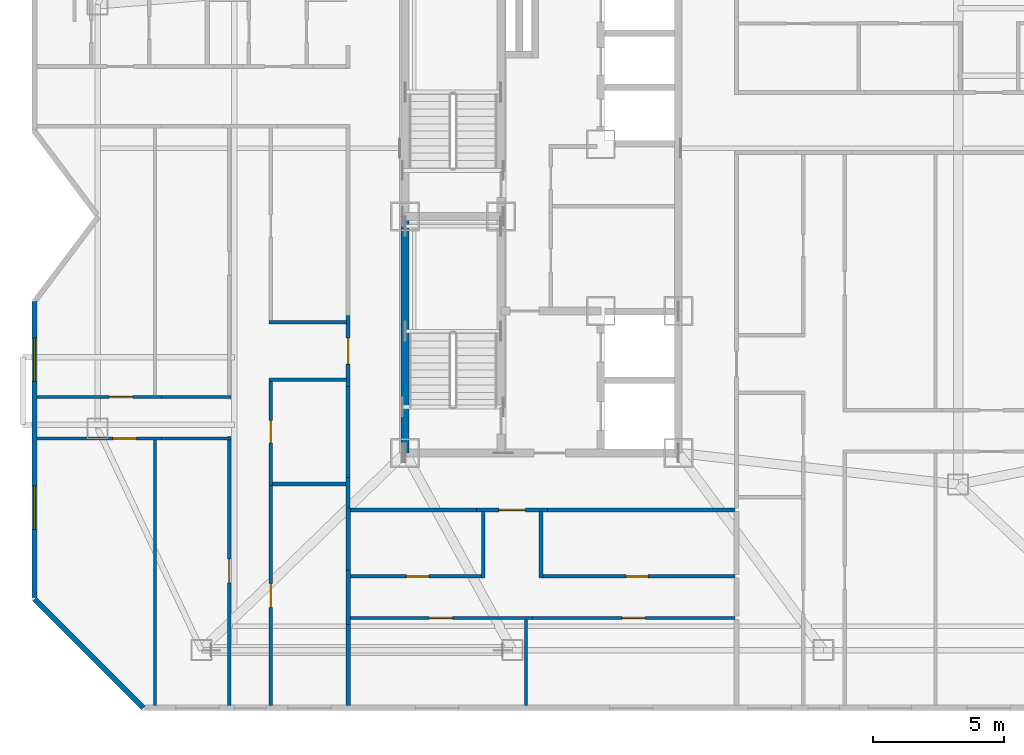
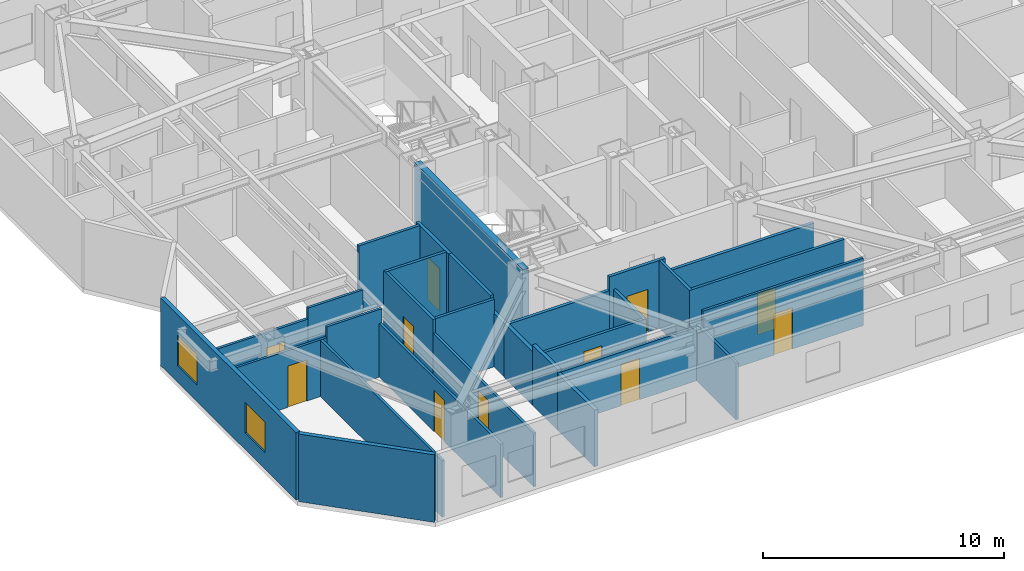
# One storey, part 5 of 12: 30 walls, 11 doors, 2 windows, 13 openings.
"""IFC4 building model written with IfcOpenShell, lengths in metres."""

from ifc_helpers import new_model, si_unit, direction, frame, frame_2d, origin, place, context, subcontext, project, spatial, rectangle, extrude, material, layer, layer_set, type_object, element, fill, save


model = new_model("IFC4")

# Units and contexts
model_context = context("Model", 3, precision=1e-05, world=origin(), true_north=direction((0.0, 1.0)))
body_context = subcontext(model_context, "Body", "Model", "MODEL_VIEW")
ifc_project = project(units=[si_unit("LENGTHUNIT", "METRE"), si_unit("AREAUNIT", "SQUARE_METRE"), si_unit("VOLUMEUNIT", "CUBIC_METRE"), si_unit("PLANEANGLEUNIT", "RADIAN"), si_unit("MASSUNIT", "GRAM", prefix="KILO")], contexts=[model_context])

# Site, building, storey
site_placement = place(None, origin())
site = spatial("IfcSite", under=ifc_project, at=site_placement, CompositionType="ELEMENT")
building_placement = place(site_placement, origin())
building = spatial("IfcBuilding", under=site, at=building_placement, Name="Khamvora Tower", CompositionType="ELEMENT")
storey_placement = place(building_placement, frame((0.0, 0.0, 199.699951171875)))
storey = spatial("IfcBuildingStorey", under=building, at=storey_placement, Name="L51", CompositionType="ELEMENT", Elevation=199.699951171875)

# Walls
ifc_material_1 = material(Name="Concrete C50/60", Category="concrete")
ifc_layer_1 = layer(ifc_material_1, 0.300048828125)
ifc_layer_set_1 = layer_set([ifc_layer_1], Name="Concrete C50/60")
wall_type_1 = type_object("IfcWallType", Name="WAL-CORE-300", PredefinedType="SHEAR", material=ifc_layer_set_1)
wall_1_placement = place(storey_placement, frame((29.0, 19.0, 0.0), z_axis=(0.0, 0.0, 1.0), x_axis=(0.0, 1.0, 0.0)))
element("IfcWall", 1, at=wall_1_placement, inside=storey, type_object=wall_type_1, Name="L51 central core west south wall", PredefinedType="SHEAR", context=body_context, shape_type="SweptSolid", body=[
    extrude(rectangle(XDim=9.0, YDim=0.300048828125, at=frame_2d((4.5, 0.0))), origin(), (0.0, 0.0, 1.0), 3.429931640625),
])
ifc_material_2 = material(Name="Fire-Rated Drywall and Steel Stud", Category="steel")
ifc_layer_2 = layer(ifc_material_2, 0.14990234375)
ifc_layer_set_2 = layer_set([ifc_layer_2], Name="Fire-Rated Drywall and Steel Stud")
wall_type_2 = type_object("IfcWallType", Name="WAL-CORR-150", PredefinedType="STANDARD", material=ifc_layer_set_2)
wall_2_placement = place(storey_placement, frame((26.8349609375, 16.89990234375, 0.0), z_axis=(0.0, 0.0, 1.0), x_axis=(0.0, 1.0, 0.0)))
element("IfcWall", 2, at=wall_2_placement, inside=storey, type_object=wall_type_2, Name="L51 interior partition wall 005", PredefinedType="STANDARD", context=body_context, shape_type="SweptSolid", body=[
    extrude(rectangle(XDim=1.168212890625, YDim=0.14990234375, at=frame_2d((0.583984375, 0.0))), origin(), (0.0, 0.0, 1.0), 2.72509765625),
])

# Wall, opening, door
wall_3_placement = place(storey_placement, frame((26.8349609375, 21.534912109375, 0.0), z_axis=(0.0, 0.0, 1.0), x_axis=(0.0, 1.0, 0.0)))
wall_3 = element("IfcWall", 3, at=wall_3_placement, inside=storey, type_object=wall_type_2, Name="L51 interior partition wall 006", PredefinedType="STANDARD", context=body_context, shape_type="SweptSolid", body=[
    extrude(rectangle(XDim=2.697998046875, YDim=0.14990234375, at=frame_2d((1.34912109375, 0.0))), origin(), (0.0, 0.0, 1.0), 3.429931640625),
])
opening_1_placement = place(wall_3_placement, frame((0.84912109375, 0.0, 0.0)))
opening_1 = element("IfcOpeningElement", 4, at=opening_1_placement, cuts=wall_3, Name="Opening D-U1", PredefinedType="OPENING", context=body_context, shape_type="SweptSolid", body=[
    extrude(rectangle(XDim=1.0, YDim=2.14990234375, at=frame_2d((0.5, 1.074951171875))), frame((0.0, 0.0849609375, 0.0), z_axis=(0.0, -1.0, 0.0), x_axis=(1.0, 0.0, 0.0)), (0.0, 0.0, 1.0), 0.169921875),
])
ifc_material_3 = material(Name="Powder-Coated Steel and Hardwood Leaf", Category="steel")
door_type_1 = type_object("IfcDoorType", Name="DOR-UNIT-1000", OperationType="NOTDEFINED", PredefinedType="DOOR", material=ifc_material_3)
door_1_placement = place(opening_1_placement, origin())
door_1 = element("IfcDoor", 5, at=door_1_placement, inside=storey, type_object=door_type_1, Name="L51 interior door COR-51WAH", OperationType="SINGLE_SWING_RIGHT", OverallHeight=2.14990234375, OverallWidth=1.0, PredefinedType="DOOR", context=body_context, shape_type="SweptSolid", body=[
    extrude(rectangle(XDim=1.0, YDim=2.14990234375, at=frame_2d((0.5, 1.074951171875))), frame((0.0, 0.02490234375, 0.0), z_axis=(0.0, -1.0, 0.0), x_axis=(1.0, 0.0, 0.0)), (0.0, 0.0, 1.0), 0.050048828125),
])
fill(opening_1, door_1)

# Wall
wall_4_placement = place(storey_placement, frame((26.8349609375, 18.068115234375, 0.0), z_axis=(0.0, 0.0, 1.0), x_axis=(0.0, 1.0, 0.0)))
element("IfcWall", 6, at=wall_4_placement, inside=storey, type_object=wall_type_2, Name="L51 interior partition wall 008", PredefinedType="STANDARD", context=body_context, shape_type="SweptSolid", body=[
    extrude(rectangle(XDim=3.466796875, YDim=0.14990234375, at=frame_2d((1.7333984375, 0.0))), origin(), (0.0, 0.0, 1.0), 3.429931640625),
])

# Wall, opening, door
wall_5_placement = place(storey_placement, frame((34.424072265625, 16.8349609375, 0.0), z_axis=(0.0, 0.0, 1.0), x_axis=(-1.0, 0.0, 0.0)))
wall_5 = element("IfcWall", 7, at=wall_5_placement, inside=storey, type_object=wall_type_2, Name="L51 interior partition wall 019", PredefinedType="STANDARD", context=body_context, shape_type="SweptSolid", body=[
    extrude(rectangle(XDim=2.697998046875, YDim=0.14990234375, at=frame_2d((1.34912109375, 0.0))), origin(), (0.0, 0.0, 1.0), 3.429931640625),
])
opening_2_placement = place(wall_5_placement, frame((0.84912109375, 0.0, 0.0)))
opening_2 = element("IfcOpeningElement", 8, at=opening_2_placement, cuts=wall_5, Name="Opening D-U1", PredefinedType="OPENING", context=body_context, shape_type="SweptSolid", body=[
    extrude(rectangle(XDim=1.0, YDim=2.14990234375, at=frame_2d((0.5, 1.074951171875))), frame((0.0, 0.0849609375, 0.0), z_axis=(0.0, -1.0, 0.0), x_axis=(1.0, 0.0, 0.0)), (0.0, 0.0, 1.0), 0.169921875),
])
door_2_placement = place(opening_2_placement, origin())
door_2 = element("IfcDoor", 9, at=door_2_placement, inside=storey, type_object=door_type_1, Name="L51 interior door COR-51SAH", OperationType="SINGLE_SWING_LEFT", OverallHeight=2.14990234375, OverallWidth=1.0, PredefinedType="DOOR", context=body_context, shape_type="SweptSolid", body=[
    extrude(rectangle(XDim=1.0, YDim=2.14990234375, at=frame_2d((0.5, 1.074951171875))), frame((0.0, 0.02490234375, 0.0), z_axis=(0.0, -1.0, 0.0), x_axis=(1.0, 0.0, 0.0)), (0.0, 0.0, 1.0), 0.050048828125),
])
fill(opening_2, door_2)

# Walls
wall_6_placement = place(storey_placement, frame((31.72607421875, 16.8349609375, 0.0), z_axis=(0.0, 0.0, 1.0), x_axis=(-1.0, 0.0, 0.0)))
element("IfcWall", 10, at=wall_6_placement, inside=storey, type_object=wall_type_2, Name="L51 interior partition wall 020", PredefinedType="STANDARD", context=body_context, shape_type="SweptSolid", body=[
    extrude(rectangle(XDim=4.826171875, YDim=0.14990234375, at=frame_2d((2.4130859375, 0.0))), origin(), (0.0, 0.0, 1.0), 2.72509765625),
])
wall_7_placement = place(storey_placement, frame((41.550048828125, 16.8349609375, 0.0), z_axis=(0.0, 0.0, 1.0), x_axis=(-1.0, 0.0, 0.0)))
element("IfcWall", 11, at=wall_7_placement, inside=storey, type_object=wall_type_2, Name="L51 interior partition wall 021", PredefinedType="STANDARD", context=body_context, shape_type="SweptSolid", body=[
    extrude(rectangle(XDim=7.1259765625, YDim=0.14990234375, at=frame_2d((3.56298828125, 0.0))), origin(), (0.0, 0.0, 1.0), 2.72509765625),
])
ifc_material_4 = material(Name="Acoustic Double-Stud Fire Wall", Category="gypsum")
ifc_layer_3 = layer(ifc_material_4, 0.179931640625)
ifc_layer_set_3 = layer_set([ifc_layer_3], Name="Acoustic Double-Stud Fire Wall")
wall_type_3 = type_object("IfcWallType", Name="WAL-CORR-180", PredefinedType="STANDARD", material=ifc_layer_set_3)
wall_8_placement = place(storey_placement, frame((26.8349609375, 14.553955078125, 0.0), z_axis=(0.0, 0.0, 1.0), x_axis=(0.0, -1.0, 0.0)))
element("IfcWall", 12, at=wall_8_placement, inside=storey, type_object=wall_type_3, Name="L51 interior partition wall 046", PredefinedType="STANDARD", context=body_context, shape_type="SweptSolid", body=[
    extrude(rectangle(XDim=2.077880859375, YDim=0.179931640625, at=frame_2d((1.0390625, 0.0))), origin(), (0.0, 0.0, 1.0), 3.06494140625),
])
wall_9_placement = place(storey_placement, frame((26.8349609375, 16.89990234375, 0.0), z_axis=(0.0, 0.0, 1.0), x_axis=(0.0, -1.0, 0.0)))
element("IfcWall", 13, at=wall_9_placement, inside=storey, type_object=wall_type_3, Name="L51 interior partition wall 047", PredefinedType="STANDARD", context=body_context, shape_type="SweptSolid", body=[
    extrude(rectangle(XDim=2.345947265625, YDim=0.179931640625, at=frame_2d((1.1728515625, 0.0))), origin(), (0.0, 0.0, 1.0), 2.72509765625),
])
wall_10_placement = place(storey_placement, frame((26.8349609375, 12.47607421875, 0.0), z_axis=(0.0, 0.0, 1.0), x_axis=(0.0, -1.0, 0.0)))
element("IfcWall", 14, at=wall_10_placement, inside=storey, type_object=wall_type_3, Name="L51 interior partition wall 048", PredefinedType="STANDARD", context=body_context, shape_type="SweptSolid", body=[
    extrude(rectangle(XDim=3.083984375, YDim=0.179931640625, at=frame_2d((1.5419921875, 0.0))), origin(), (0.0, 0.0, 1.0), 2.8759765625),
])
ifc_material_5 = material(Name="Precast concrete C40/50", Category="concrete")
ifc_layer_4 = layer(ifc_material_5, 0.199951171875)
ifc_layer_set_4 = layer_set([ifc_layer_4], Name="Precast concrete C40/50")
wall_type_4 = type_object("IfcWallType", Name="WAL-EXT-200", PredefinedType="STANDARD", material=ifc_layer_set_4)
wall_11_placement = place(storey_placement, frame((19.041015625, 9.300048828125, 0.0), z_axis=(0.0, 0.0, 1.0), x_axis=(-0.707127625344, 0.707085936414, 0.0)))
element("IfcWall", 15, at=wall_11_placement, inside=storey, type_object=wall_type_4, Name="L51 exterior facade wall 01.1", PredefinedType="STANDARD", context=body_context, shape_type="SweptSolid", body=[
    extrude(rectangle(XDim=5.856201171875, YDim=0.199951171875, at=frame_2d((2.92822265625, 0.0))), origin(), (0.0, 0.0, 1.0), 3.429931640625),
])

# Wall, openings, windows
wall_12_placement = place(storey_placement, frame((14.89990234375, 13.50390625, 0.0), z_axis=(0.0, 0.0, 1.0), x_axis=(0.0, 1.0, 0.0)))
wall_12 = element("IfcWall", 16, at=wall_12_placement, inside=storey, type_object=wall_type_4, Name="L51 exterior facade wall 02.1", PredefinedType="STANDARD", context=body_context, shape_type="SweptSolid", body=[
    extrude(rectangle(XDim=11.26318359375, YDim=0.199951171875, at=frame_2d((5.631591796875, 0.0))), origin(), (0.0, 0.0, 1.0), 3.429931640625),
])
opening_3_placement = place(wall_12_placement, frame((2.593017578125, 0.0, 0.85009765625)))
opening_3 = element("IfcOpeningElement", 17, at=opening_3_placement, cuts=wall_12, Name="Opening WN-06", PredefinedType="OPENING", context=body_context, shape_type="SweptSolid", body=[
    extrude(rectangle(XDim=1.64990234375, YDim=1.550048828125, at=frame_2d((0.824951171875, 0.77490234375))), frame((0.0, 0.10986328125, 0.0), z_axis=(0.0, -1.0, 0.0), x_axis=(1.0, 0.0, 0.0)), (0.0, 0.0, 1.0), 0.219970703125),
])
opening_4_placement = place(wall_12_placement, frame((8.22509765625, 0.0, 0.85009765625)))
opening_4 = element("IfcOpeningElement", 18, at=opening_4_placement, cuts=wall_12, Name="Opening WN-06", PredefinedType="OPENING", context=body_context, shape_type="SweptSolid", body=[
    extrude(rectangle(XDim=1.64990234375, YDim=1.550048828125, at=frame_2d((0.824951171875, 0.77490234375))), frame((0.0, 0.10986328125, 0.0), z_axis=(0.0, -1.0, 0.0), x_axis=(1.0, 0.0, 0.0)), (0.0, 0.0, 1.0), 0.219970703125),
])
ifc_material_6 = material(Name="Low-E Laminated Double Glazing", Category="glass")
window_type = type_object("IfcWindowType", Name="WIN-VIS-1650x1550", PartitioningType="SINGLE_PANEL", PredefinedType="WINDOW", material=ifc_material_6)
window_1_placement = place(opening_3_placement, origin())
window_1 = element("IfcWindow", 19, at=window_1_placement, inside=storey, type_object=window_type, Name="L51 vision window 02.1.01", OverallHeight=1.550048828125, OverallWidth=1.64990234375, PartitioningType="SINGLE_PANEL", PredefinedType="WINDOW", context=body_context, shape_type="SweptSolid", body=[
    extrude(rectangle(XDim=1.64990234375, YDim=1.550048828125, at=frame_2d((0.824951171875, 0.77490234375))), frame((0.0, 0.030029296875, 0.0), z_axis=(0.0, -1.0, 0.0), x_axis=(1.0, 0.0, 0.0)), (0.0, 0.0, 1.0), 0.06005859375),
])
fill(opening_3, window_1)
window_2_placement = place(opening_4_placement, origin())
window_2 = element("IfcWindow", 20, at=window_2_placement, inside=storey, type_object=window_type, Name="L51 vision window 02.1.02", OverallHeight=1.550048828125, OverallWidth=1.64990234375, PartitioningType="SINGLE_PANEL", PredefinedType="WINDOW", context=body_context, shape_type="SweptSolid", body=[
    extrude(rectangle(XDim=1.64990234375, YDim=1.550048828125, at=frame_2d((0.824951171875, 0.77490234375))), frame((0.0, 0.030029296875, 0.0), z_axis=(0.0, -1.0, 0.0), x_axis=(1.0, 0.0, 0.0)), (0.0, 0.0, 1.0), 0.06005859375),
])
fill(opening_4, window_2)

# Wall, opening, door
ifc_material_7 = material(Name="Gypsum Plasterboard Partition", Category="gypsum")
ifc_layer_5 = layer(ifc_material_7, 0.1201171875)
ifc_layer_set_5 = layer_set([ifc_layer_5], Name="Gypsum Plasterboard Partition")
wall_type_5 = type_object("IfcWallType", Name="WAL-PART-120", PredefinedType="PARTITIONING", material=ifc_layer_set_5)
wall_13_placement = place(storey_placement, frame((23.889892578125, 9.39208984375, 0.0), z_axis=(0.0, 0.0, 1.0), x_axis=(0.0, 1.0, 0.0)))
wall_13 = element("IfcWall", 21, at=wall_13_placement, inside=storey, type_object=wall_type_5, Name="L51 interior partition wall 044", PredefinedType="PARTITIONING", context=body_context, shape_type="SweptSolid", body=[
    extrude(rectangle(XDim=8.36181640625, YDim=0.1201171875, at=frame_2d((4.180908203125, 0.0))), origin(), (0.0, 0.0, 1.0), 2.72509765625),
])
opening_5_placement = place(wall_13_placement, frame((3.73095703125, 0.0, 0.0)))
opening_5 = element("IfcOpeningElement", 22, at=opening_5_placement, cuts=wall_13, Name="Opening D-RM1", PredefinedType="OPENING", context=body_context, shape_type="SweptSolid", body=[
    extrude(rectangle(XDim=0.89990234375, YDim=2.10009765625, at=frame_2d((0.449951171875, 1.050048828125))), frame((0.0, 0.070068359375, 0.0), z_axis=(0.0, -1.0, 0.0), x_axis=(1.0, 0.0, 0.0)), (0.0, 0.0, 1.0), 0.14013671875),
])
door_type_2 = type_object("IfcDoorType", Name="DOR-ROOM-900", OperationType="NOTDEFINED", PredefinedType="DOOR", material=ifc_material_3)
door_3_placement = place(opening_5_placement, origin())
door_3 = element("IfcDoor", 23, at=door_3_placement, inside=storey, type_object=door_type_2, Name="L51 interior door 51WAW1-51WAH", OperationType="SINGLE_SWING_LEFT", OverallHeight=2.10009765625, OverallWidth=0.89990234375, PredefinedType="DOOR", context=body_context, shape_type="SweptSolid", body=[
    extrude(rectangle(XDim=0.89990234375, YDim=2.10009765625, at=frame_2d((0.449951171875, 1.050048828125))), frame((0.0, 0.02490234375, 0.0), z_axis=(0.0, -1.0, 0.0), x_axis=(1.0, 0.0, 0.0)), (0.0, 0.0, 1.0), 0.050048828125),
])
fill(opening_5, door_3)

wall_14_placement = place(storey_placement, frame((19.737060546875, 19.554931640625, 0.0), z_axis=(0.0, 0.0, 1.0), x_axis=(-1.0, 0.0, 0.0)))
wall_14 = element("IfcWall", 24, at=wall_14_placement, inside=storey, type_object=wall_type_5, Name="L51 interior partition wall 053", PredefinedType="PARTITIONING", context=body_context, shape_type="SweptSolid", body=[
    extrude(rectangle(XDim=4.7451171875, YDim=0.1201171875, at=frame_2d((2.37255859375, 0.0))), origin(), (0.0, 0.0, 1.0), 2.8759765625),
])
opening_6_placement = place(wall_14_placement, frame((0.955078125, 0.0, 0.0)))
opening_6 = element("IfcOpeningElement", 25, at=opening_6_placement, cuts=wall_14, Name="Opening D-RM1", PredefinedType="OPENING", context=body_context, shape_type="SweptSolid", body=[
    extrude(rectangle(XDim=0.89990234375, YDim=2.10009765625, at=frame_2d((0.449951171875, 1.050048828125))), frame((0.0, 0.070068359375, 0.0), z_axis=(0.0, -1.0, 0.0), x_axis=(1.0, 0.0, 0.0)), (0.0, 0.0, 1.0), 0.14013671875),
])
door_4_placement = place(opening_6_placement, origin())
door_4 = element("IfcDoor", 26, at=door_4_placement, inside=storey, type_object=door_type_2, Name="L51 interior door 51WAH-51WAR1", OperationType="SINGLE_SWING_LEFT", OverallHeight=2.10009765625, OverallWidth=0.89990234375, PredefinedType="DOOR", context=body_context, shape_type="SweptSolid", body=[
    extrude(rectangle(XDim=0.89990234375, YDim=2.10009765625, at=frame_2d((0.449951171875, 1.050048828125))), frame((0.0, 0.02490234375, 0.0), z_axis=(0.0, -1.0, 0.0), x_axis=(1.0, 0.0, 0.0)), (0.0, 0.0, 1.0), 0.050048828125),
])
fill(opening_6, door_4)

wall_15_placement = place(storey_placement, frame((22.31005859375, 9.39208984375, 0.0), z_axis=(0.0, 0.0, 1.0), x_axis=(0.0, 1.0, 0.0)))
wall_15 = element("IfcWall", 27, at=wall_15_placement, inside=storey, type_object=wall_type_5, Name="L51 interior partition wall 054", PredefinedType="PARTITIONING", context=body_context, shape_type="SweptSolid", body=[
    extrude(rectangle(XDim=10.22802734375, YDim=0.1201171875, at=frame_2d((5.114013671875, 0.0))), origin(), (0.0, 0.0, 1.0), 2.72509765625),
])
opening_7_placement = place(wall_15_placement, frame((4.6640625, 0.0, 0.0)))
opening_7 = element("IfcOpeningElement", 28, at=opening_7_placement, cuts=wall_15, Name="Opening D-RM1", PredefinedType="OPENING", context=body_context, shape_type="SweptSolid", body=[
    extrude(rectangle(XDim=0.89990234375, YDim=2.10009765625, at=frame_2d((0.449951171875, 1.050048828125))), frame((0.0, 0.070068359375, 0.0), z_axis=(0.0, -1.0, 0.0), x_axis=(1.0, 0.0, 0.0)), (0.0, 0.0, 1.0), 0.14013671875),
])
door_5_placement = place(opening_7_placement, origin())
door_5 = element("IfcDoor", 29, at=door_5_placement, inside=storey, type_object=door_type_2, Name="L51 interior door 51WAH-51WAR2", OperationType="SINGLE_SWING_RIGHT", OverallHeight=2.10009765625, OverallWidth=0.89990234375, PredefinedType="DOOR", context=body_context, shape_type="SweptSolid", body=[
    extrude(rectangle(XDim=0.89990234375, YDim=2.10009765625, at=frame_2d((0.449951171875, 1.050048828125))), frame((0.0, 0.02490234375, 0.0), z_axis=(0.0, -1.0, 0.0), x_axis=(1.0, 0.0, 0.0)), (0.0, 0.0, 1.0), 0.050048828125),
])
fill(opening_7, door_5)

# Wall
wall_16_placement = place(storey_placement, frame((22.375, 19.554931640625, 0.0), z_axis=(0.0, 0.0, 1.0), x_axis=(-1.0, 0.0, 0.0)))
element("IfcWall", 30, at=wall_16_placement, inside=storey, type_object=wall_type_5, Name="L51 interior partition wall 055", PredefinedType="PARTITIONING", context=body_context, shape_type="SweptSolid", body=[
    extrude(rectangle(XDim=2.637939453125, YDim=0.1201171875, at=frame_2d((1.31884765625, 0.0))), origin(), (0.0, 0.0, 1.0), 3.429931640625),
])

# Wall, opening, door
wall_17_placement = place(storey_placement, frame((14.991943359375, 21.125, 0.0), z_axis=(0.0, 0.0, 1.0), x_axis=(1.0, 0.0, 0.0)))
wall_17 = element("IfcWall", 31, at=wall_17_placement, inside=storey, type_object=wall_type_5, Name="L51 interior partition wall 056", PredefinedType="PARTITIONING", context=body_context, shape_type="SweptSolid", body=[
    extrude(rectangle(XDim=4.7451171875, YDim=0.1201171875, at=frame_2d((2.37255859375, 0.0))), origin(), (0.0, 0.0, 1.0), 2.8759765625),
])
opening_8_placement = place(wall_17_placement, frame((2.7490234375, 0.0, 0.0)))
opening_8 = element("IfcOpeningElement", 32, at=opening_8_placement, cuts=wall_17, Name="Opening D-RM1", PredefinedType="OPENING", context=body_context, shape_type="SweptSolid", body=[
    extrude(rectangle(XDim=0.89990234375, YDim=2.10009765625, at=frame_2d((0.449951171875, 1.050048828125))), frame((0.0, 0.070068359375, 0.0), z_axis=(0.0, -1.0, 0.0), x_axis=(1.0, 0.0, 0.0)), (0.0, 0.0, 1.0), 0.14013671875),
])
door_6_placement = place(opening_8_placement, origin())
door_6 = element("IfcDoor", 33, at=door_6_placement, inside=storey, type_object=door_type_2, Name="L51 interior door 51WAH-51WAR3", OperationType="SINGLE_SWING_RIGHT", OverallHeight=2.10009765625, OverallWidth=0.89990234375, PredefinedType="DOOR", context=body_context, shape_type="SweptSolid", body=[
    extrude(rectangle(XDim=0.89990234375, YDim=2.10009765625, at=frame_2d((0.449951171875, 1.050048828125))), frame((0.0, 0.02490234375, 0.0), z_axis=(0.0, -1.0, 0.0), x_axis=(1.0, 0.0, 0.0)), (0.0, 0.0, 1.0), 0.050048828125),
])
fill(opening_8, door_6)

# Walls
wall_18_placement = place(storey_placement, frame((19.737060546875, 21.125, 0.0), z_axis=(0.0, 0.0, 1.0), x_axis=(1.0, 0.0, 0.0)))
element("IfcWall", 34, at=wall_18_placement, inside=storey, type_object=wall_type_5, Name="L51 interior partition wall 057", PredefinedType="PARTITIONING", context=body_context, shape_type="SweptSolid", body=[
    extrude(rectangle(XDim=2.637939453125, YDim=0.1201171875, at=frame_2d((1.31884765625, 0.0))), origin(), (0.0, 0.0, 1.0), 3.429931640625),
])
wall_19_placement = place(storey_placement, frame((19.488037109375, 19.5009765625, 0.0), z_axis=(0.0, 0.0, 1.0), x_axis=(0.0, -1.0, 0.0)))
element("IfcWall", 35, at=wall_19_placement, inside=storey, type_object=wall_type_5, Name="L51 interior partition wall 059", PredefinedType="PARTITIONING", context=body_context, shape_type="SweptSolid", body=[
    extrude(rectangle(XDim=10.10888671875, YDim=0.1201171875, at=frame_2d((5.054443359375, 0.0))), origin(), (0.0, 0.0, 1.0), 2.8759765625),
])

# Wall, opening, door
wall_20_placement = place(storey_placement, frame((33.847900390625, 12.72509765625, 0.0), z_axis=(0.0, 0.0, 1.0), x_axis=(-1.0, 0.0, 0.0)))
wall_20 = element("IfcWall", 36, at=wall_20_placement, inside=storey, type_object=wall_type_5, Name="L51 interior partition wall 084", PredefinedType="PARTITIONING", context=body_context, shape_type="SweptSolid", body=[
    extrude(rectangle(XDim=6.930908203125, YDim=0.1201171875, at=frame_2d((3.46533203125, 0.0))), origin(), (0.0, 0.0, 1.0), 2.72509765625),
])
opening_9_placement = place(wall_20_placement, frame((3.035888671875, 0.0, 0.0)))
opening_9 = element("IfcOpeningElement", 37, at=opening_9_placement, cuts=wall_20, Name="Opening D-RM1", PredefinedType="OPENING", context=body_context, shape_type="SweptSolid", body=[
    extrude(rectangle(XDim=0.89990234375, YDim=2.10009765625, at=frame_2d((0.449951171875, 1.050048828125))), frame((0.0, 0.070068359375, 0.0), z_axis=(0.0, -1.0, 0.0), x_axis=(1.0, 0.0, 0.0)), (0.0, 0.0, 1.0), 0.14013671875),
])
door_7_placement = place(opening_9_placement, origin())
door_7 = element("IfcDoor", 38, at=door_7_placement, inside=storey, type_object=door_type_2, Name="L51 interior door 51SAH-51SAL", OperationType="SINGLE_SWING_RIGHT", OverallHeight=2.10009765625, OverallWidth=0.89990234375, PredefinedType="DOOR", context=body_context, shape_type="SweptSolid", body=[
    extrude(rectangle(XDim=0.89990234375, YDim=2.10009765625, at=frame_2d((0.449951171875, 1.050048828125))), frame((0.0, 0.02490234375, 0.0), z_axis=(0.0, -1.0, 0.0), x_axis=(1.0, 0.0, 0.0)), (0.0, 0.0, 1.0), 0.050048828125),
])
fill(opening_9, door_7)

wall_21_placement = place(storey_placement, frame((41.550048828125, 12.72509765625, 0.0), z_axis=(0.0, 0.0, 1.0), x_axis=(-1.0, 0.0, 0.0)))
wall_21 = element("IfcWall", 39, at=wall_21_placement, inside=storey, type_object=wall_type_5, Name="L51 interior partition wall 085", PredefinedType="PARTITIONING", context=body_context, shape_type="SweptSolid", body=[
    extrude(rectangle(XDim=7.7021484375, YDim=0.1201171875, at=frame_2d((3.85107421875, 0.0))), origin(), (0.0, 0.0, 1.0), 3.429931640625),
])
opening_10_placement = place(wall_21_placement, frame((3.40087890625, 0.0, 0.0)))
opening_10 = element("IfcOpeningElement", 40, at=opening_10_placement, cuts=wall_21, Name="Opening D-RM1", PredefinedType="OPENING", context=body_context, shape_type="SweptSolid", body=[
    extrude(rectangle(XDim=0.89990234375, YDim=2.10009765625, at=frame_2d((0.449951171875, 1.050048828125))), frame((0.0, 0.070068359375, 0.0), z_axis=(0.0, -1.0, 0.0), x_axis=(1.0, 0.0, 0.0)), (0.0, 0.0, 1.0), 0.14013671875),
])
door_8_placement = place(opening_10_placement, origin())
door_8 = element("IfcDoor", 41, at=door_8_placement, inside=storey, type_object=door_type_2, Name="L51 interior door 51SAH-51SAR2", OperationType="SINGLE_SWING_LEFT", OverallHeight=2.10009765625, OverallWidth=0.89990234375, PredefinedType="DOOR", context=body_context, shape_type="SweptSolid", body=[
    extrude(rectangle(XDim=0.89990234375, YDim=2.10009765625, at=frame_2d((0.449951171875, 1.050048828125))), frame((0.0, 0.02490234375, 0.0), z_axis=(0.0, -1.0, 0.0), x_axis=(1.0, 0.0, 0.0)), (0.0, 0.0, 1.0), 0.050048828125),
])
fill(opening_10, door_8)

# Walls
wall_22_placement = place(storey_placement, frame((33.59912109375, 12.6708984375, 0.0), z_axis=(0.0, 0.0, 1.0), x_axis=(0.0, -1.0, 0.0)))
element("IfcWall", 42, at=wall_22_placement, inside=storey, type_object=wall_type_5, Name="L51 interior partition wall 088", PredefinedType="PARTITIONING", context=body_context, shape_type="SweptSolid", body=[
    extrude(rectangle(XDim=3.27880859375, YDim=0.1201171875, at=frame_2d((1.639404296875, 0.0))), origin(), (0.0, 0.0, 1.0), 2.8759765625),
])
ifc_material_8 = material(Name="Moisture-Resistant Plasterboard Partition", Category="gypsum")
ifc_layer_6 = layer(ifc_material_8, 0.135009765625)
ifc_layer_set_6 = layer_set([ifc_layer_6], Name="Moisture-Resistant Plasterboard Partition")
wall_type_6 = type_object("IfcWallType", Name="WAL-WET-135", PredefinedType="PARTITIONING", material=ifc_layer_set_6)
wall_23_placement = place(storey_placement, frame((23.955078125, 17.819091796875, 0.0), z_axis=(0.0, 0.0, 1.0), x_axis=(1.0, 0.0, 0.0)))
element("IfcWall", 43, at=wall_23_placement, inside=storey, type_object=wall_type_6, Name="L51 interior partition wall 045", PredefinedType="PARTITIONING", context=body_context, shape_type="SweptSolid", body=[
    extrude(rectangle(XDim=2.81494140625, YDim=0.135009765625, at=frame_2d((1.407470703125, 0.0))), origin(), (0.0, 0.0, 1.0), 3.429931640625),
])
wall_24_placement = place(storey_placement, frame((26.77001953125, 21.783935546875, 0.0), z_axis=(0.0, 0.0, 1.0), x_axis=(-1.0, 0.0, 0.0)))
element("IfcWall", 44, at=wall_24_placement, inside=storey, type_object=wall_type_6, Name="L51 interior partition wall 049", PredefinedType="PARTITIONING", context=body_context, shape_type="SweptSolid", body=[
    extrude(rectangle(XDim=2.945068359375, YDim=0.135009765625, at=frame_2d((1.47265625, 0.0))), origin(), (0.0, 0.0, 1.0), 3.429931640625),
])

# Wall, opening, door
wall_25_placement = place(storey_placement, frame((23.889892578125, 21.84912109375, 0.0), z_axis=(0.0, 0.0, 1.0), x_axis=(0.0, -1.0, 0.0)))
wall_25 = element("IfcWall", 45, at=wall_25_placement, inside=storey, type_object=wall_type_6, Name="L51 interior partition wall 050", PredefinedType="PARTITIONING", context=body_context, shape_type="SweptSolid", body=[
    extrude(rectangle(XDim=4.09521484375, YDim=0.135009765625, at=frame_2d((2.047607421875, 0.0))), origin(), (0.0, 0.0, 1.0), 3.429931640625),
])
opening_11_placement = place(wall_25_placement, frame((1.6220703125, 0.0, 0.0)))
opening_11 = element("IfcOpeningElement", 46, at=opening_11_placement, cuts=wall_25, Name="Opening D-WC1", PredefinedType="OPENING", context=body_context, shape_type="SweptSolid", body=[
    extrude(rectangle(XDim=0.85009765625, YDim=2.10009765625, at=frame_2d((0.425048828125, 1.050048828125))), frame((0.0, 0.077392578125, 0.0), z_axis=(0.0, -1.0, 0.0), x_axis=(1.0, 0.0, 0.0)), (0.0, 0.0, 1.0), 0.155029296875),
])
door_type_3 = type_object("IfcDoorType", Name="DOR-WET-850", OperationType="NOTDEFINED", PredefinedType="DOOR", material=ifc_material_3)
door_9_placement = place(opening_11_placement, origin())
door_9 = element("IfcDoor", 47, at=door_9_placement, inside=storey, type_object=door_type_3, Name="L51 interior door 51WAH-51WAB", OperationType="SINGLE_SWING_RIGHT", OverallHeight=2.10009765625, OverallWidth=0.85009765625, PredefinedType="DOOR", context=body_context, shape_type="SweptSolid", body=[
    extrude(rectangle(XDim=0.85009765625, YDim=2.10009765625, at=frame_2d((0.425048828125, 1.050048828125))), frame((0.0, 0.02490234375, 0.0), z_axis=(0.0, -1.0, 0.0), x_axis=(1.0, 0.0, 0.0)), (0.0, 0.0, 1.0), 0.050048828125),
])
fill(opening_11, door_9)

# Wall
wall_26_placement = place(storey_placement, frame((23.824951171875, 23.98388671875, 0.0), z_axis=(0.0, 0.0, 1.0), x_axis=(1.0, 0.0, 0.0)))
element("IfcWall", 48, at=wall_26_placement, inside=storey, type_object=wall_type_6, Name="L51 interior partition wall 052", PredefinedType="PARTITIONING", context=body_context, shape_type="SweptSolid", body=[
    extrude(rectangle(XDim=2.945068359375, YDim=0.135009765625, at=frame_2d((1.47265625, 0.0))), origin(), (0.0, 0.0, 1.0), 3.429931640625),
])

# Wall, opening, door
wall_27_placement = place(storey_placement, frame((26.9169921875, 14.304931640625, 0.0), z_axis=(0.0, 0.0, 1.0), x_axis=(1.0, 0.0, 0.0)))
wall_27 = element("IfcWall", 49, at=wall_27_placement, inside=storey, type_object=wall_type_6, Name="L51 interior partition wall 080", PredefinedType="PARTITIONING", context=body_context, shape_type="SweptSolid", body=[
    extrude(rectangle(XDim=5.123046875, YDim=0.135009765625, at=frame_2d((2.5615234375, 0.0))), origin(), (0.0, 0.0, 1.0), 2.72509765625),
])
opening_12_placement = place(wall_27_placement, frame((2.136962890625, 0.0, 0.0)))
opening_12 = element("IfcOpeningElement", 50, at=opening_12_placement, cuts=wall_27, Name="Opening D-WC1", PredefinedType="OPENING", context=body_context, shape_type="SweptSolid", body=[
    extrude(rectangle(XDim=0.85009765625, YDim=2.10009765625, at=frame_2d((0.425048828125, 1.050048828125))), frame((0.0, 0.077392578125, 0.0), z_axis=(0.0, -1.0, 0.0), x_axis=(1.0, 0.0, 0.0)), (0.0, 0.0, 1.0), 0.155029296875),
])
door_10_placement = place(opening_12_placement, origin())
door_10 = element("IfcDoor", 51, at=door_10_placement, inside=storey, type_object=door_type_3, Name="L51 interior door 51SAH-51SAB", OperationType="SINGLE_SWING_RIGHT", OverallHeight=2.10009765625, OverallWidth=0.85009765625, PredefinedType="DOOR", context=body_context, shape_type="SweptSolid", body=[
    extrude(rectangle(XDim=0.85009765625, YDim=2.10009765625, at=frame_2d((0.425048828125, 1.050048828125))), frame((0.0, 0.02490234375, 0.0), z_axis=(0.0, -1.0, 0.0), x_axis=(1.0, 0.0, 0.0)), (0.0, 0.0, 1.0), 0.050048828125),
])
fill(opening_12, door_10)

# Walls
wall_28_placement = place(storey_placement, frame((31.97509765625, 14.239990234375, 0.0), z_axis=(0.0, 0.0, 1.0), x_axis=(0.0, 1.0, 0.0)))
element("IfcWall", 52, at=wall_28_placement, inside=storey, type_object=wall_type_6, Name="L51 interior partition wall 081", PredefinedType="PARTITIONING", context=body_context, shape_type="SweptSolid", body=[
    extrude(rectangle(XDim=2.530029296875, YDim=0.135009765625, at=frame_2d((1.26513671875, 0.0))), origin(), (0.0, 0.0, 1.0), 2.72509765625),
])
wall_29_placement = place(storey_placement, frame((34.175048828125, 16.77001953125, 0.0), z_axis=(0.0, 0.0, 1.0), x_axis=(0.0, -1.0, 0.0)))
element("IfcWall", 53, at=wall_29_placement, inside=storey, type_object=wall_type_6, Name="L51 interior partition wall 082", PredefinedType="PARTITIONING", context=body_context, shape_type="SweptSolid", body=[
    extrude(rectangle(XDim=2.530029296875, YDim=0.135009765625, at=frame_2d((1.26513671875, 0.0))), origin(), (0.0, 0.0, 1.0), 3.429931640625),
])

# Wall, opening, door
wall_30_placement = place(storey_placement, frame((34.110107421875, 14.304931640625, 0.0), z_axis=(0.0, 0.0, 1.0), x_axis=(1.0, 0.0, 0.0)))
wall_30 = element("IfcWall", 54, at=wall_30_placement, inside=storey, type_object=wall_type_6, Name="L51 interior partition wall 083", PredefinedType="PARTITIONING", context=body_context, shape_type="SweptSolid", body=[
    extrude(rectangle(XDim=7.43994140625, YDim=0.135009765625, at=frame_2d((3.719970703125, 0.0))), origin(), (0.0, 0.0, 1.0), 3.429931640625),
])
opening_13_placement = place(wall_30_placement, frame((3.294921875, 0.0, 0.0)))
opening_13 = element("IfcOpeningElement", 55, at=opening_13_placement, cuts=wall_30, Name="Opening D-RM2", PredefinedType="OPENING", context=body_context, shape_type="SweptSolid", body=[
    extrude(rectangle(XDim=0.85009765625, YDim=2.10009765625, at=frame_2d((0.425048828125, 1.050048828125))), frame((0.0, 0.077392578125, 0.0), z_axis=(0.0, -1.0, 0.0), x_axis=(1.0, 0.0, 0.0)), (0.0, 0.0, 1.0), 0.155029296875),
])
door_type_4 = type_object("IfcDoorType", Name="DOR-ROOM-850", OperationType="NOTDEFINED", PredefinedType="DOOR", material=ifc_material_3)
door_11_placement = place(opening_13_placement, origin())
door_11 = element("IfcDoor", 56, at=door_11_placement, inside=storey, type_object=door_type_4, Name="L51 interior door 51SAH-51SAK", OperationType="SINGLE_SWING_LEFT", OverallHeight=2.10009765625, OverallWidth=0.85009765625, PredefinedType="DOOR", context=body_context, shape_type="SweptSolid", body=[
    extrude(rectangle(XDim=0.85009765625, YDim=2.10009765625, at=frame_2d((0.425048828125, 1.050048828125))), frame((0.0, 0.02490234375, 0.0), z_axis=(0.0, -1.0, 0.0), x_axis=(1.0, 0.0, 0.0)), (0.0, 0.0, 1.0), 0.050048828125),
])
fill(opening_13, door_11)

save(model, "model.ifc")
